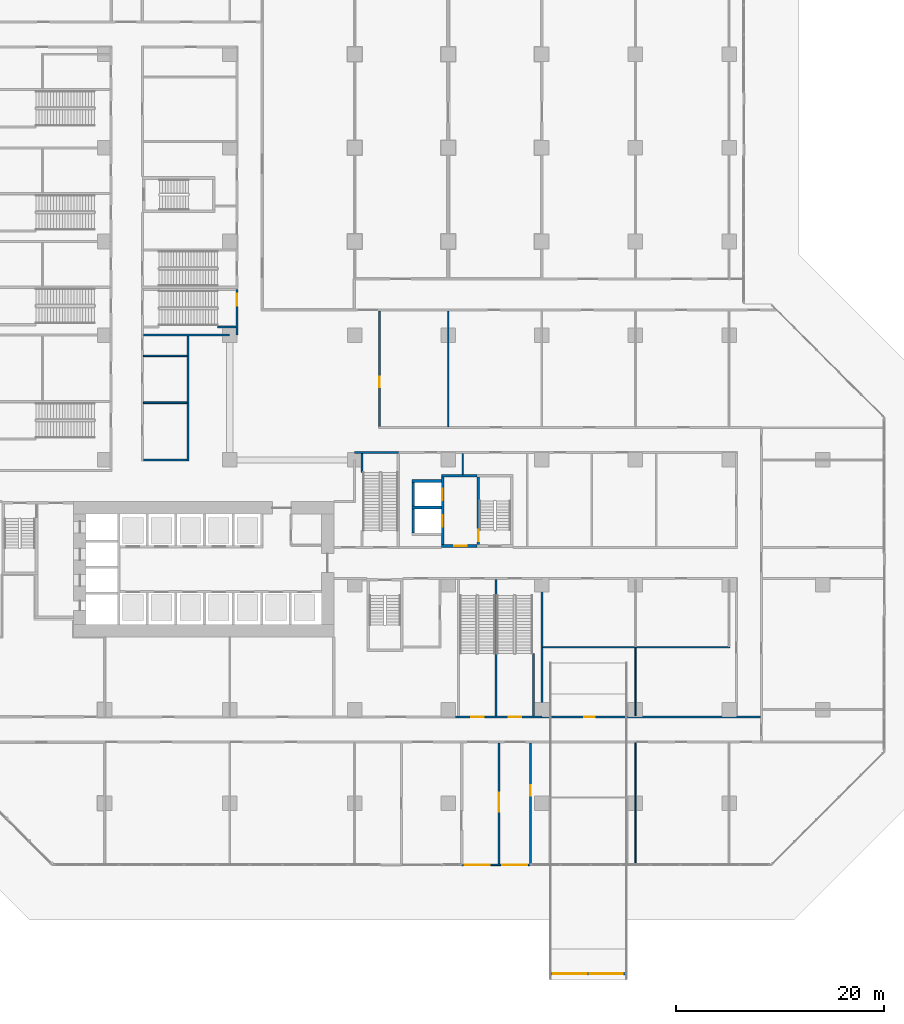
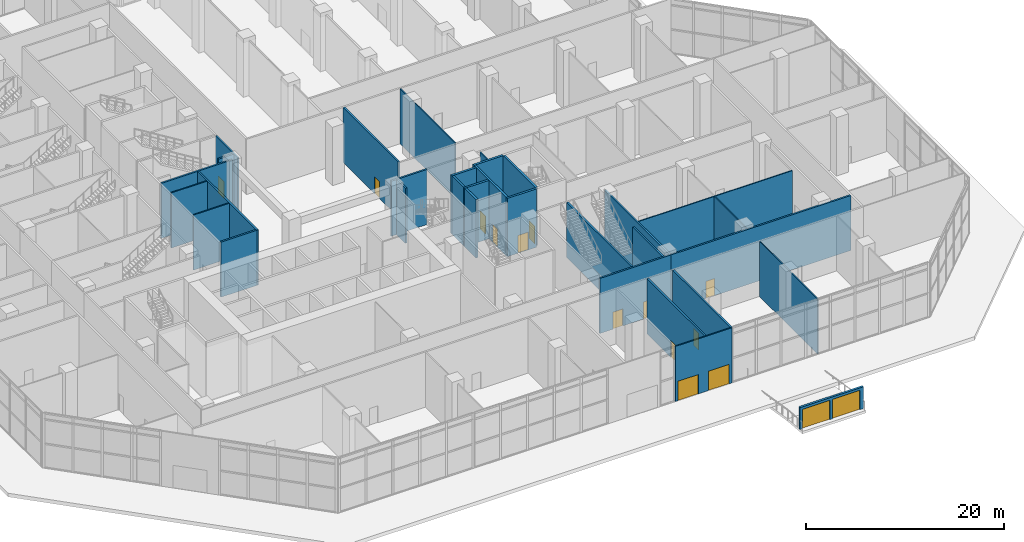
# One storey, part 21 of 34: 32 walls, 15 doors, 15 openings.
"""IFC4 building model written with IfcOpenShell, lengths in metres."""

from ifc_helpers import new_model, si_unit, direction, frame, frame_2d, origin, place, context, subcontext, project, spatial, rectangle, extrude, material, layer, layer_set, type_object, element, fill, save


model = new_model("IFC4")

# Units and contexts
model_context = context("Model", 3, precision=1e-05, world=origin(), true_north=direction((0.0, 1.0)))
body_context = subcontext(model_context, "Body", "Model", "MODEL_VIEW")
ifc_project = project(units=[si_unit("LENGTHUNIT", "METRE"), si_unit("AREAUNIT", "SQUARE_METRE"), si_unit("VOLUMEUNIT", "CUBIC_METRE"), si_unit("PLANEANGLEUNIT", "RADIAN"), si_unit("MASSUNIT", "GRAM", prefix="KILO")], contexts=[model_context])

# Site, building, storey
site_placement = place(None, origin())
site = spatial("IfcSite", under=ifc_project, at=site_placement, CompositionType="ELEMENT")
building_placement = place(site_placement, origin())
building = spatial("IfcBuilding", under=site, at=building_placement, Name="Chenar Terraces", CompositionType="ELEMENT")
storey_placement = place(building_placement, origin())
storey = spatial("IfcBuildingStorey", under=building, at=storey_placement, Name="L00", CompositionType="ELEMENT", Elevation=0.0)

# Walls
ifc_material_1 = material(Name="Gypsum board on steel studs with mineral wool", Category="steel")
ifc_layer_1 = layer(ifc_material_1, 0.125)
ifc_layer_set_1 = layer_set([ifc_layer_1], Name="Gypsum board on steel studs with mineral wool")
wall_type_1 = type_object("IfcWallType", Name="Acoustic partition 125", PredefinedType="PARTITIONING", material=ifc_layer_set_1)
wall_1_placement = place(storey_placement, frame((45.0, 27.199951171875, 0.0), z_axis=(0.0, 0.0, 1.0), x_axis=(0.0, 1.0, 0.0)))
element("IfcWall", 1, at=wall_1_placement, inside=storey, type_object=wall_type_1, Name="Partition L00-103", PredefinedType="PARTITIONING", context=body_context, shape_type="SweptSolid", body=[
    extrude(rectangle(XDim=11.10009765625, YDim=0.125, at=frame_2d((5.550048828125, 0.0))), origin(), (0.0, 0.0, 1.0), 6.800048828125),
])
wall_2_placement = place(storey_placement, frame((46.39990234375, 22.60009765625, 0.0), z_axis=(0.0, 0.0, 1.0), x_axis=(0.0, 1.0, 0.0)))
element("IfcWall", 2, at=wall_2_placement, inside=storey, type_object=wall_type_1, Name="Partition L00-109", PredefinedType="PARTITIONING", context=body_context, shape_type="SweptSolid", body=[
    extrude(rectangle(XDim=2.0, YDim=0.125, at=frame_2d((1.0, 0.0))), origin(), (0.0, 0.0, 1.0), 6.800048828125),
])
wall_3_placement = place(storey_placement, frame((54.10009765625, 6.0, 0.0), z_axis=(0.0, 0.0, 1.0), x_axis=(1.0, 0.0, 0.0)))
element("IfcWall", 3, at=wall_3_placement, inside=storey, type_object=wall_type_1, Name="Partition L00-120", PredefinedType="PARTITIONING", context=body_context, shape_type="SweptSolid", body=[
    extrude(rectangle(XDim=17.9619140625, YDim=0.125, at=frame_2d((8.98095703125, 0.0))), origin(), (0.0, 0.0, 1.0), 6.800048828125),
])
wall_4_placement = place(storey_placement, frame((63.0, -14.925048828125, 0.0), z_axis=(0.0, 0.0, 1.0), x_axis=(0.0, 1.0, 0.0)))
element("IfcWall", 4, at=wall_4_placement, inside=storey, type_object=wall_type_1, Name="Partition L00-122", PredefinedType="PARTITIONING", context=body_context, shape_type="SweptSolid", body=[
    extrude(rectangle(XDim=11.72509765625, YDim=0.125, at=frame_2d((5.862548828125, 0.0))), origin(), (0.0, 0.0, 1.0), 6.800048828125),
])
wall_5_placement = place(storey_placement, frame((63.0, -0.60009765625, 0.0), z_axis=(0.0, 0.0, 1.0), x_axis=(0.0, 1.0, 0.0)))
element("IfcWall", 5, at=wall_5_placement, inside=storey, type_object=wall_type_1, Name="Partition L00-123", PredefinedType="PARTITIONING", context=body_context, shape_type="SweptSolid", body=[
    extrude(rectangle(XDim=6.5380859375, YDim=0.125, at=frame_2d((3.26904296875, 0.0))), origin(), (0.0, 0.0, 1.0), 6.800048828125),
])

# Wall, opening, door
ifc_material_2 = material(Name="Concrete C70/85", Category="concrete")
ifc_layer_2 = layer(ifc_material_2, 0.25)
ifc_layer_set_2 = layer_set([ifc_layer_2], Name="Concrete C70/85")
wall_type_2 = type_object("IfcWallType", Name="Core wall 250 Concrete C70/85", PredefinedType="SHEAR", material=ifc_layer_set_2)
wall_6_placement = place(storey_placement, frame((47.89990234375, 15.85009765625, 0.0), z_axis=(0.0, 0.0, 1.0), x_axis=(0.0, 1.0, 0.0)))
wall_6 = element("IfcWall", 6, at=wall_6_placement, inside=storey, type_object=wall_type_2, Name="Core wall ST3_W L00", PredefinedType="SHEAR", context=body_context, shape_type="SweptSolid", body=[
    extrude(rectangle(XDim=6.5, YDim=0.25, at=frame_2d((3.25, 0.0))), origin(), (0.0, 0.0, 1.0), 7.199951171875),
])
opening_1_placement = place(wall_6_placement, frame((0.35009765625, 0.0, 0.0)))
opening_1 = element("IfcOpeningElement", 7, at=opening_1_placement, cuts=wall_6, Name="Opening DL00-C11", PredefinedType="OPENING", context=body_context, shape_type="SweptSolid", body=[
    extrude(rectangle(XDim=1.10009765625, YDim=2.199951171875, at=frame_2d((0.550048828125, 1.10009765625))), frame((0.0, 0.135009765625, 0.0), z_axis=(0.0, -1.0, 0.0), x_axis=(1.0, 0.0, 0.0)), (0.0, 0.0, 1.0), 0.27001953125),
])
ifc_material_3 = material(Name="Steel-framed fire-resisting door leaf", Category="steel")
door_type_1 = type_object("IfcDoorType", Name="Stair fire door FD60 1100 x 2200", OperationType="SINGLE_SWING_LEFT", PredefinedType="DOOR", material=ifc_material_3)
door_1_placement = place(opening_1_placement, frame((1.10009765625, 0.0, 0.0), z_axis=(0.0, 0.0, 1.0), x_axis=(-1.0, 0.0, 0.0)))
door_1 = element("IfcDoor", 8, at=door_1_placement, inside=storey, type_object=door_type_1, Name="Stair door DL00-C11", OperationType="SINGLE_SWING_RIGHT", OverallHeight=2.199951171875, OverallWidth=1.10009765625, PredefinedType="DOOR", context=body_context, shape_type="SweptSolid", body=[
    extrude(rectangle(XDim=1.10009765625, YDim=2.199951171875, at=frame_2d((0.550048828125, 1.10009765625))), frame((0.0, 0.02490234375, 0.0), z_axis=(0.0, -1.0, 0.0), x_axis=(1.0, 0.0, 0.0)), (0.0, 0.0, 1.0), 0.050048828125),
])
fill(opening_1, door_1)

wall_7_placement = place(storey_placement, frame((44.35009765625, 15.72509765625, 0.0), z_axis=(0.0, 0.0, 1.0), x_axis=(1.0, 0.0, 0.0)))
wall_7 = element("IfcWall", 9, at=wall_7_placement, inside=storey, type_object=wall_type_2, Name="Core wall F3_LS L00", PredefinedType="SHEAR", context=body_context, shape_type="SweptSolid", body=[
    extrude(rectangle(XDim=3.4248046875, YDim=0.25, at=frame_2d((1.71240234375, 0.0))), origin(), (0.0, 0.0, 1.0), 7.199951171875),
])
opening_2_placement = place(wall_7_placement, frame((1.25, 0.0, 0.0)))
opening_2 = element("IfcOpeningElement", 10, at=opening_2_placement, cuts=wall_7, Name="Opening DL00-C10", PredefinedType="OPENING", context=body_context, shape_type="SweptSolid", body=[
    extrude(rectangle(XDim=1.199951171875, YDim=2.199951171875, at=frame_2d((0.60009765625, 1.10009765625))), frame((0.0, 0.135009765625, 0.0), z_axis=(0.0, -1.0, 0.0), x_axis=(1.0, 0.0, 0.0)), (0.0, 0.0, 1.0), 0.27001953125),
])
ifc_material_4 = material(Name="Steel-framed fire-resisting door leaf", Category="steel")
door_type_2 = type_object("IfcDoorType", Name="Lobby fire door FD60 1200 x 2200", OperationType="SINGLE_SWING_LEFT", PredefinedType="DOOR", material=ifc_material_4)
door_2_placement = place(opening_2_placement, origin())
door_2 = element("IfcDoor", 11, at=door_2_placement, inside=storey, type_object=door_type_2, Name="Core door DL00-C10", OperationType="SINGLE_SWING_RIGHT", OverallHeight=2.199951171875, OverallWidth=1.199951171875, PredefinedType="DOOR", context=body_context, shape_type="SweptSolid", body=[
    extrude(rectangle(XDim=1.199951171875, YDim=2.199951171875, at=frame_2d((0.60009765625, 1.10009765625))), frame((0.0, 0.02490234375, 0.0), z_axis=(0.0, -1.0, 0.0), x_axis=(1.0, 0.0, 0.0)), (0.0, 0.0, 1.0), 0.050048828125),
])
fill(opening_2, door_2)

# Wall
wall_8_placement = place(storey_placement, frame((44.35009765625, 22.47509765625, 0.0), z_axis=(0.0, 0.0, 1.0), x_axis=(1.0, 0.0, 0.0)))
element("IfcWall", 12, at=wall_8_placement, inside=storey, type_object=wall_type_2, Name="Core wall F3_LN L00", PredefinedType="SHEAR", context=body_context, shape_type="SweptSolid", body=[
    extrude(rectangle(XDim=3.4248046875, YDim=0.25, at=frame_2d((1.71240234375, 0.0))), origin(), (0.0, 0.0, 1.0), 7.199951171875),
])

# Wall, openings, doors
wall_9_placement = place(storey_placement, frame((44.47509765625, 15.85009765625, 0.0), z_axis=(0.0, 0.0, 1.0), x_axis=(0.0, 1.0, 0.0)))
wall_9 = element("IfcWall", 13, at=wall_9_placement, inside=storey, type_object=wall_type_2, Name="Core wall F3_LW L00", PredefinedType="SHEAR", context=body_context, shape_type="SweptSolid", body=[
    extrude(rectangle(XDim=6.5, YDim=0.25, at=frame_2d((3.25, 0.0))), origin(), (0.0, 0.0, 1.0), 7.199951171875),
])
opening_3_placement = place(wall_9_placement, frame((1.75, 0.0, 0.0)))
opening_3 = element("IfcOpeningElement", 14, at=opening_3_placement, cuts=wall_9, Name="Opening DL00-LD16", PredefinedType="OPENING", context=body_context, shape_type="SweptSolid", body=[
    extrude(rectangle(XDim=1.10009765625, YDim=2.199951171875, at=frame_2d((0.550048828125, 1.10009765625))), frame((0.0, 0.135009765625, 0.0), z_axis=(0.0, -1.0, 0.0), x_axis=(1.0, 0.0, 0.0)), (0.0, 0.0, 1.0), 0.27001953125),
])
opening_4_placement = place(wall_9_placement, frame((4.300048828125, 0.0, 0.0)))
opening_4 = element("IfcOpeningElement", 15, at=opening_4_placement, cuts=wall_9, Name="Opening DL00-LD17", PredefinedType="OPENING", context=body_context, shape_type="SweptSolid", body=[
    extrude(rectangle(XDim=1.10009765625, YDim=2.199951171875, at=frame_2d((0.550048828125, 1.10009765625))), frame((0.0, 0.135009765625, 0.0), z_axis=(0.0, -1.0, 0.0), x_axis=(1.0, 0.0, 0.0)), (0.0, 0.0, 1.0), 0.27001953125),
])
ifc_material_5 = material(Name="Stainless steel", Category="steel")
door_type_3 = type_object("IfcDoorType", Name="Lift landing door 1100 x 2200 sliding", OperationType="DOUBLE_DOOR_SLIDING", PredefinedType="DOOR", material=ifc_material_5)
door_3_placement = place(opening_3_placement, origin())
door_3 = element("IfcDoor", 16, at=door_3_placement, inside=storey, type_object=door_type_3, Name="Landing door F3", OperationType="DOUBLE_DOOR_SLIDING", OverallHeight=2.199951171875, OverallWidth=1.10009765625, PredefinedType="DOOR", context=body_context, shape_type="SweptSolid", body=[
    extrude(rectangle(XDim=1.10009765625, YDim=2.199951171875, at=frame_2d((0.550048828125, 1.10009765625))), frame((0.0, 0.02490234375, 0.0), z_axis=(0.0, -1.0, 0.0), x_axis=(1.0, 0.0, 0.0)), (0.0, 0.0, 1.0), 0.050048828125),
])
fill(opening_3, door_3)
door_4_placement = place(opening_4_placement, origin())
door_4 = element("IfcDoor", 17, at=door_4_placement, inside=storey, type_object=door_type_3, Name="Landing door F4", OperationType="DOUBLE_DOOR_SLIDING", OverallHeight=2.199951171875, OverallWidth=1.10009765625, PredefinedType="DOOR", context=body_context, shape_type="SweptSolid", body=[
    extrude(rectangle(XDim=1.10009765625, YDim=2.199951171875, at=frame_2d((0.550048828125, 1.10009765625))), frame((0.0, 0.02490234375, 0.0), z_axis=(0.0, -1.0, 0.0), x_axis=(1.0, 0.0, 0.0)), (0.0, 0.0, 1.0), 0.050048828125),
])
fill(opening_4, door_4)

# Walls
for number, where, z_axis, x_axis, name in (
    (18, (41.5, 19.425048828125, 0.0), (0.0, 0.0, 1.0), (1.0, 0.0, 0.0), "Core wall F3_SM L00"),
    (19, (41.5, 21.97509765625, 0.0), (0.0, 0.0, 1.0), (1.0, 0.0, 0.0), "Core wall F4_SN L00"),
):
    element("IfcWall", number, at=place(storey_placement, frame(where, z_axis=z_axis, x_axis=x_axis)), inside=storey, type_object=wall_type_2, Name=name, PredefinedType="SHEAR", context=body_context, shape_type="SweptSolid", body=[
        extrude(rectangle(XDim=2.85009765625, YDim=0.25, at=frame_2d((1.425048828125, 0.0))), origin(), (0.0, 0.0, 1.0), 7.199951171875),
    ])
for number, where, z_axis, x_axis, name in (
    (20, (41.625, 17.0, 0.0), (0.0, 0.0, 1.0), (0.0, 1.0, 0.0), "Core wall F3_SW L00"),
    (21, (41.625, 19.550048828125, 0.0), (0.0, 0.0, 1.0), (0.0, 1.0, 0.0), "Core wall F4_SW L00"),
):
    element("IfcWall", number, at=place(storey_placement, frame(where, z_axis=z_axis, x_axis=x_axis)), inside=storey, type_object=wall_type_2, Name=name, PredefinedType="SHEAR", context=body_context, shape_type="SweptSolid", body=[
        extrude(rectangle(XDim=2.300048828125, YDim=0.25, at=frame_2d((1.14990234375, 0.0))), origin(), (0.0, 0.0, 1.0), 7.199951171875),
    ])
ifc_material_6 = material(Name="Gypsum board on steel studs with fire boards", Category="steel")
ifc_layer_3 = layer(ifc_material_6, 0.199951171875)
ifc_layer_set_3 = layer_set([ifc_layer_3], Name="Gypsum board on steel studs with fire boards")
wall_type_3 = type_object("IfcWallType", Name="Corridor wall 200", PredefinedType="PARTITIONING", material=ifc_layer_set_3)
wall_10_placement = place(storey_placement, frame((15.699951171875, 24.0, 0.0), z_axis=(0.0, 0.0, 1.0), x_axis=(1.0, 0.0, 0.0)))
element("IfcWall", 22, at=wall_10_placement, inside=storey, type_object=wall_type_3, Name="Partition L00-065", PredefinedType="PARTITIONING", context=body_context, shape_type="SweptSolid", body=[
    extrude(rectangle(XDim=4.199951171875, YDim=0.199951171875, at=frame_2d((2.10009765625, 0.0))), origin(), (0.0, 0.0, 1.0), 6.800048828125),
])
wall_11_placement = place(storey_placement, frame((20.0, 23.89990234375, 0.0), z_axis=(0.0, 0.0, 1.0), x_axis=(0.0, 1.0, 0.0)))
element("IfcWall", 23, at=wall_11_placement, inside=storey, type_object=wall_type_3, Name="Partition L00-073", PredefinedType="PARTITIONING", context=body_context, shape_type="SweptSolid", body=[
    extrude(rectangle(XDim=12.0, YDim=0.199951171875, at=frame_2d((6.0, 0.0))), origin(), (0.0, 0.0, 1.0), 6.800048828125),
])

# Wall, opening, door
wall_12_placement = place(storey_placement, frame((38.39990234375, 27.199951171875, 0.0), z_axis=(0.0, 0.0, 1.0), x_axis=(0.0, 1.0, 0.0)))
wall_12 = element("IfcWall", 24, at=wall_12_placement, inside=storey, type_object=wall_type_3, Name="Partition L00-095", PredefinedType="PARTITIONING", context=body_context, shape_type="SweptSolid", body=[
    extrude(rectangle(XDim=11.10009765625, YDim=0.199951171875, at=frame_2d((5.550048828125, 0.0))), origin(), (0.0, 0.0, 1.0), 6.800048828125),
])
opening_5_placement = place(wall_12_placement, frame((3.800048828125, 0.0, 0.0)))
opening_5 = element("IfcOpeningElement", 25, at=opening_5_placement, cuts=wall_12, Name="Opening DL00-27", PredefinedType="OPENING", context=body_context, shape_type="SweptSolid", body=[
    extrude(rectangle(XDim=1.0, YDim=2.10009765625, at=frame_2d((0.5, 1.050048828125))), frame((0.0, 0.10986328125, 0.0), z_axis=(0.0, -1.0, 0.0), x_axis=(1.0, 0.0, 0.0)), (0.0, 0.0, 1.0), 0.219970703125),
])
ifc_material_7 = material(Name="Steel-framed fire-resisting door leaf", Category="steel")
door_type_4 = type_object("IfcDoorType", Name="Fire door FD60 1000 x 2100", OperationType="SINGLE_SWING_LEFT", PredefinedType="DOOR", material=ifc_material_7)
door_5_placement = place(opening_5_placement, frame((1.0, 0.0, 0.0), z_axis=(0.0, 0.0, 1.0), x_axis=(-1.0, 0.0, 0.0)))
door_5 = element("IfcDoor", 26, at=door_5_placement, inside=storey, type_object=door_type_4, Name="Door DL00-27", OperationType="SINGLE_SWING_LEFT", OverallHeight=2.10009765625, OverallWidth=1.0, PredefinedType="DOOR", context=body_context, shape_type="SweptSolid", body=[
    extrude(rectangle(XDim=1.0, YDim=2.10009765625, at=frame_2d((0.5, 1.050048828125))), frame((0.0, 0.02490234375, 0.0), z_axis=(0.0, -1.0, 0.0), x_axis=(1.0, 0.0, 0.0)), (0.0, 0.0, 1.0), 0.050048828125),
])
fill(opening_5, door_5)

wall_13_placement = place(storey_placement, frame((49.89990234375, -14.85107421875, 0.0), z_axis=(0.0, 0.0, 1.0), x_axis=(0.0, 1.0, 0.0)))
wall_13 = element("IfcWall", 27, at=wall_13_placement, inside=storey, type_object=wall_type_3, Name="Partition L00-111", PredefinedType="PARTITIONING", context=body_context, shape_type="SweptSolid", body=[
    extrude(rectangle(XDim=11.651123046875, YDim=0.199951171875, at=frame_2d((5.82568359375, 0.0))), origin(), (0.0, 0.0, 1.0), 6.800048828125),
])
opening_6_placement = place(wall_13_placement, frame((5.051025390625, 0.0, 0.0)))
opening_6 = element("IfcOpeningElement", 28, at=opening_6_placement, cuts=wall_13, Name="Opening DL00-104", PredefinedType="OPENING", context=body_context, shape_type="SweptSolid", body=[
    extrude(rectangle(XDim=1.800048828125, YDim=2.10009765625, at=frame_2d((0.89990234375, 1.050048828125))), frame((0.0, 0.10986328125, 0.0), z_axis=(0.0, -1.0, 0.0), x_axis=(1.0, 0.0, 0.0)), (0.0, 0.0, 1.0), 0.219970703125),
])
ifc_material_8 = material(Name="Steel-framed fire-resisting door leaf", Category="steel")
door_type_5 = type_object("IfcDoorType", Name="Fire double door FD60 1800 x 2100", OperationType="DOUBLE_DOOR_SINGLE_SWING", PredefinedType="DOOR", material=ifc_material_8)
door_6_placement = place(opening_6_placement, frame((1.800048828125, 0.0, 0.0), z_axis=(0.0, 0.0, 1.0), x_axis=(-1.0, 0.0, 0.0)))
door_6 = element("IfcDoor", 29, at=door_6_placement, inside=storey, type_object=door_type_5, Name="Door DL00-104", OperationType="DOUBLE_DOOR_SINGLE_SWING", OverallHeight=2.10009765625, OverallWidth=1.800048828125, PredefinedType="DOOR", context=body_context, shape_type="SweptSolid", body=[
    extrude(rectangle(XDim=1.800048828125, YDim=2.10009765625, at=frame_2d((0.89990234375, 1.050048828125))), frame((0.0, 0.02490234375, 0.0), z_axis=(0.0, -1.0, 0.0), x_axis=(1.0, 0.0, 0.0)), (0.0, 0.0, 1.0), 0.050048828125),
])
fill(opening_6, door_6)

wall_14_placement = place(storey_placement, frame((52.89990234375, -14.925048828125, 0.0), z_axis=(0.0, 0.0, 1.0), x_axis=(0.0, 1.0, 0.0)))
wall_14 = element("IfcWall", 30, at=wall_14_placement, inside=storey, type_object=wall_type_3, Name="Partition L00-114", PredefinedType="PARTITIONING", context=body_context, shape_type="SweptSolid", body=[
    extrude(rectangle(XDim=11.72509765625, YDim=0.199951171875, at=frame_2d((5.862548828125, 0.0))), origin(), (0.0, 0.0, 1.0), 6.800048828125),
])
opening_7_placement = place(wall_14_placement, frame((6.64990234375, 0.0, 0.0)))
opening_7 = element("IfcOpeningElement", 31, at=opening_7_placement, cuts=wall_14, Name="Opening DL00-61", PredefinedType="OPENING", context=body_context, shape_type="SweptSolid", body=[
    extrude(rectangle(XDim=1.0, YDim=2.10009765625, at=frame_2d((0.5, 1.050048828125))), frame((0.0, 0.10986328125, 0.0), z_axis=(0.0, -1.0, 0.0), x_axis=(1.0, 0.0, 0.0)), (0.0, 0.0, 1.0), 0.219970703125),
])
door_7_placement = place(opening_7_placement, frame((1.0, 0.0, 0.0), z_axis=(0.0, 0.0, 1.0), x_axis=(-1.0, 0.0, 0.0)))
door_7 = element("IfcDoor", 32, at=door_7_placement, inside=storey, type_object=door_type_4, Name="Door DL00-61", OperationType="SINGLE_SWING_LEFT", OverallHeight=2.10009765625, OverallWidth=1.0, PredefinedType="DOOR", context=body_context, shape_type="SweptSolid", body=[
    extrude(rectangle(XDim=1.0, YDim=2.10009765625, at=frame_2d((0.5, 1.050048828125))), frame((0.0, 0.02490234375, 0.0), z_axis=(0.0, -1.0, 0.0), x_axis=(1.0, 0.0, 0.0)), (0.0, 0.0, 1.0), 0.050048828125),
])
fill(opening_7, door_7)

wall_15_placement = place(storey_placement, frame((54.0, -0.699951171875, 0.0), z_axis=(0.0, 0.0, 1.0), x_axis=(1.0, 0.0, 0.0)))
wall_15 = element("IfcWall", 33, at=wall_15_placement, inside=storey, type_object=wall_type_3, Name="Partition L00-115", PredefinedType="PARTITIONING", context=body_context, shape_type="SweptSolid", body=[
    extrude(rectangle(XDim=21.0, YDim=0.199951171875, at=frame_2d((10.5, 0.0))), origin(), (0.0, 0.0, 1.0), 6.800048828125),
])
opening_8_placement = place(wall_15_placement, frame((4.10009765625, 0.0, 0.0)))
opening_8 = element("IfcOpeningElement", 34, at=opening_8_placement, cuts=wall_15, Name="Opening DL00-8", PredefinedType="OPENING", context=body_context, shape_type="SweptSolid", body=[
    extrude(rectangle(XDim=1.0, YDim=2.10009765625, at=frame_2d((0.5, 1.050048828125))), frame((0.0, 0.10986328125, 0.0), z_axis=(0.0, -1.0, 0.0), x_axis=(1.0, 0.0, 0.0)), (0.0, 0.0, 1.0), 0.219970703125),
])
door_8_placement = place(opening_8_placement, origin())
door_8 = element("IfcDoor", 35, at=door_8_placement, inside=storey, type_object=door_type_4, Name="Door DL00-8", OperationType="SINGLE_SWING_LEFT", OverallHeight=2.10009765625, OverallWidth=1.0, PredefinedType="DOOR", context=body_context, shape_type="SweptSolid", body=[
    extrude(rectangle(XDim=1.0, YDim=2.10009765625, at=frame_2d((0.5, 1.050048828125))), frame((0.0, 0.02490234375, 0.0), z_axis=(0.0, -1.0, 0.0), x_axis=(1.0, 0.0, 0.0)), (0.0, 0.0, 1.0), 0.050048828125),
])
fill(opening_8, door_8)

# Wall, openings, doors
ifc_material_9 = material(Name="Terracotta cladding on insulated backing", Category="masonry")
ifc_layer_4 = layer(ifc_material_9, 0.14990234375)
ifc_layer_set_4 = layer_set([ifc_layer_4], Name="Terracotta cladding on insulated backing")
wall_type_4 = type_object("IfcWallType", Name="Entrance wall 150", PredefinedType="SOLIDWALL", material=ifc_layer_set_4)
wall_16_placement = place(storey_placement, frame((46.300048828125, -14.925048828125, 0.0), z_axis=(0.0, 0.0, 1.0), x_axis=(1.0, 0.0, 0.0)))
wall_16 = element("IfcWall", 36, at=wall_16_placement, inside=storey, type_object=wall_type_4, Name="Entrance wall", PredefinedType="SOLIDWALL", context=body_context, shape_type="SweptSolid", body=[
    extrude(rectangle(XDim=6.599853515625, YDim=0.14990234375, at=frame_2d((3.2998046875, 0.0))), origin(), (0.0, 0.0, 1.0), 6.800048828125),
])
opening_9_placement = place(wall_16_placement, frame((0.300048828125, 0.0, 0.0)))
opening_9 = element("IfcOpeningElement", 37, at=opening_9_placement, cuts=wall_16, Name="Opening DL00-X5", PredefinedType="OPENING", context=body_context, shape_type="SweptSolid", body=[
    extrude(rectangle(XDim=2.39990234375, YDim=2.39990234375, at=frame_2d((1.199951171875, 1.199951171875))), frame((0.0, 0.0849609375, 0.0), z_axis=(0.0, -1.0, 0.0), x_axis=(1.0, 0.0, 0.0)), (0.0, 0.0, 1.0), 0.169921875),
])
opening_10_placement = place(wall_16_placement, frame((3.89990234375, 0.0, 0.0)))
opening_10 = element("IfcOpeningElement", 38, at=opening_10_placement, cuts=wall_16, Name="Opening DL00-X6", PredefinedType="OPENING", context=body_context, shape_type="SweptSolid", body=[
    extrude(rectangle(XDim=2.39990234375, YDim=2.39990234375, at=frame_2d((1.199951171875, 1.199951171875))), frame((0.0, 0.0849609375, 0.0), z_axis=(0.0, -1.0, 0.0), x_axis=(1.0, 0.0, 0.0)), (0.0, 0.0, 1.0), 0.169921875),
])
ifc_material_10 = material(Name="Low emissivity double glazing, aluminium frame", Category="aluminium")
door_type_6 = type_object("IfcDoorType", Name="Exit door set 2400 x 2400", OperationType="DOUBLE_DOOR_SINGLE_SWING", PredefinedType="DOOR", material=ifc_material_10)
door_9_placement = place(opening_9_placement, frame((2.39990234375, 0.0, 0.0), z_axis=(0.0, 0.0, 1.0), x_axis=(-1.0, 0.0, 0.0)))
door_9 = element("IfcDoor", 39, at=door_9_placement, inside=storey, type_object=door_type_6, Name="Exit door", OperationType="DOUBLE_DOOR_SINGLE_SWING", OverallHeight=2.39990234375, OverallWidth=2.39990234375, PredefinedType="DOOR", context=body_context, shape_type="SweptSolid", body=[
    extrude(rectangle(XDim=2.39990234375, YDim=2.39990234375, at=frame_2d((1.199951171875, 1.199951171875))), frame((0.0, 0.02490234375, 0.0), z_axis=(0.0, -1.0, 0.0), x_axis=(1.0, 0.0, 0.0)), (0.0, 0.0, 1.0), 0.050048828125),
])
fill(opening_9, door_9)
door_10_placement = place(opening_10_placement, frame((2.39990234375, 0.0, 0.0), z_axis=(0.0, 0.0, 1.0), x_axis=(-1.0, 0.0, 0.0)))
door_10 = element("IfcDoor", 40, at=door_10_placement, inside=storey, type_object=door_type_6, Name="Exit door", OperationType="DOUBLE_DOOR_SINGLE_SWING", OverallHeight=2.39990234375, OverallWidth=2.39990234375, PredefinedType="DOOR", context=body_context, shape_type="SweptSolid", body=[
    extrude(rectangle(XDim=2.39990234375, YDim=2.39990234375, at=frame_2d((1.199951171875, 1.199951171875))), frame((0.0, 0.02490234375, 0.0), z_axis=(0.0, -1.0, 0.0), x_axis=(1.0, 0.0, 0.0)), (0.0, 0.0, 1.0), 0.050048828125),
])
fill(opening_10, door_10)

ifc_material_11 = material(Name="Reinforced concrete C40/50", Category="concrete")
ifc_layer_5 = layer(ifc_material_11, 0.25)
ifc_layer_set_5 = layer_set([ifc_layer_5], Name="Reinforced concrete C40/50")
wall_type_5 = type_object("IfcWallType", Name="Entrance wall 250 concrete", PredefinedType="SOLIDWALL", material=ifc_layer_set_5)
wall_17_placement = place(storey_placement, frame((54.800048828125, -25.389892578125, -0.050048828125), z_axis=(0.0, 0.0, 1.0), x_axis=(1.0, 0.0, 0.0)))
wall_17 = element("IfcWall", 41, at=wall_17_placement, inside=storey, type_object=wall_type_5, Name="R1 entrance wall", PredefinedType="SOLIDWALL", context=body_context, shape_type="SweptSolid", body=[
    extrude(rectangle(XDim=7.39990234375, YDim=0.25, at=frame_2d((3.699951171875, 0.0))), origin(), (0.0, 0.0, 1.0), 2.699951171875),
])
opening_11_placement = place(wall_17_placement, frame((0.300048828125, 0.0, 0.0)))
opening_11 = element("IfcOpeningElement", 42, at=opening_11_placement, cuts=wall_17, Name="Opening VG-R1.1", PredefinedType="OPENING", context=body_context, shape_type="SweptSolid", body=[
    extrude(rectangle(XDim=3.199951171875, YDim=2.39990234375, at=frame_2d((1.60009765625, 1.199951171875))), frame((0.0, 0.135009765625, 0.0), z_axis=(0.0, -1.0, 0.0), x_axis=(1.0, 0.0, 0.0)), (0.0, 0.0, 1.0), 0.27001953125),
])
opening_12_placement = place(wall_17_placement, frame((3.800048828125, 0.0, 0.0)))
opening_12 = element("IfcOpeningElement", 43, at=opening_12_placement, cuts=wall_17, Name="Opening VG-R1.2", PredefinedType="OPENING", context=body_context, shape_type="SweptSolid", body=[
    extrude(rectangle(XDim=3.199951171875, YDim=2.39990234375, at=frame_2d((1.60009765625, 1.199951171875))), frame((0.0, 0.135009765625, 0.0), z_axis=(0.0, -1.0, 0.0), x_axis=(1.0, 0.0, 0.0)), (0.0, 0.0, 1.0), 0.27001953125),
])
ifc_material_12 = material(Name="Galvanised steel", Category="steel")
door_type_7 = type_object("IfcDoorType", Name="Vehicle gate 3200 x 2400 sliding", OperationType="SLIDING_TO_LEFT", PredefinedType="GATE", material=ifc_material_12)
door_11_placement = place(opening_11_placement, origin())
door_11 = element("IfcDoor", 44, at=door_11_placement, inside=storey, type_object=door_type_7, Name="Vehicle gate R1.1", OperationType="SLIDING_TO_LEFT", OverallHeight=2.39990234375, OverallWidth=3.199951171875, PredefinedType="GATE", context=body_context, shape_type="SweptSolid", body=[
    extrude(rectangle(XDim=3.199951171875, YDim=2.39990234375, at=frame_2d((1.60009765625, 1.199951171875))), frame((0.0, 0.02490234375, 0.0), z_axis=(0.0, -1.0, 0.0), x_axis=(1.0, 0.0, 0.0)), (0.0, 0.0, 1.0), 0.050048828125),
])
fill(opening_11, door_11)
door_12_placement = place(opening_12_placement, origin())
door_12 = element("IfcDoor", 45, at=door_12_placement, inside=storey, type_object=door_type_7, Name="Vehicle gate R1.2", OperationType="SLIDING_TO_LEFT", OverallHeight=2.39990234375, OverallWidth=3.199951171875, PredefinedType="GATE", context=body_context, shape_type="SweptSolid", body=[
    extrude(rectangle(XDim=3.199951171875, YDim=2.39990234375, at=frame_2d((1.60009765625, 1.199951171875))), frame((0.0, 0.02490234375, 0.0), z_axis=(0.0, -1.0, 0.0), x_axis=(1.0, 0.0, 0.0)), (0.0, 0.0, 1.0), 0.050048828125),
])
fill(opening_12, door_12)

# Wall
ifc_material_13 = material(Name="Reinforced concrete C40/50", Category="concrete")
ifc_layer_6 = layer(ifc_material_13, 0.199951171875)
ifc_layer_set_6 = layer_set([ifc_layer_6], Name="Reinforced concrete C40/50")
wall_type_6 = type_object("IfcWallType", Name="Stair enclosure wall 200 concrete", PredefinedType="SOLIDWALL", material=ifc_layer_set_6)
wall_18_placement = place(storey_placement, frame((15.699951171875, 36.0, 0.0), z_axis=(0.0, 0.0, 1.0), x_axis=(1.0, 0.0, 0.0)))
element("IfcWall", 46, at=wall_18_placement, inside=storey, type_object=wall_type_6, Name="Stair enclosure wall L00-068", PredefinedType="SOLIDWALL", context=body_context, shape_type="SweptSolid", body=[
    extrude(rectangle(XDim=8.300048828125, YDim=0.199951171875, at=frame_2d((4.14990234375, 0.0))), origin(), (0.0, 0.0, 1.0), 6.800048828125),
])

# Wall, opening, door
wall_19_placement = place(storey_placement, frame((24.699951171875, 36.0, 0.0), z_axis=(0.0, 0.0, 1.0), x_axis=(0.0, 1.0, 0.0)))
wall_19 = element("IfcWall", 47, at=wall_19_placement, inside=storey, type_object=wall_type_6, Name="Stair enclosure wall L00-078", PredefinedType="SOLIDWALL", context=body_context, shape_type="SweptSolid", body=[
    extrude(rectangle(XDim=4.39990234375, YDim=0.199951171875, at=frame_2d((2.199951171875, 0.0))), origin(), (0.0, 0.0, 1.0), 6.800048828125),
])
opening_13_placement = place(wall_19_placement, frame((2.800048828125, 0.0, 0.0)))
opening_13 = element("IfcOpeningElement", 48, at=opening_13_placement, cuts=wall_19, Name="Opening DL00-96", PredefinedType="OPENING", context=body_context, shape_type="SweptSolid", body=[
    extrude(rectangle(XDim=1.199951171875, YDim=2.10009765625, at=frame_2d((0.60009765625, 1.050048828125))), frame((0.0, 0.10986328125, 0.0), z_axis=(0.0, -1.0, 0.0), x_axis=(1.0, 0.0, 0.0)), (0.0, 0.0, 1.0), 0.219970703125),
])
ifc_material_14 = material(Name="Steel-framed fire-resisting door leaf", Category="steel")
door_type_8 = type_object("IfcDoorType", Name="Fire door FD120 1200 x 2100", OperationType="SINGLE_SWING_LEFT", PredefinedType="DOOR", material=ifc_material_14)
door_13_placement = place(opening_13_placement, origin())
door_13 = element("IfcDoor", 49, at=door_13_placement, inside=storey, type_object=door_type_8, Name="Door DL00-96", OperationType="SINGLE_SWING_RIGHT", OverallHeight=2.10009765625, OverallWidth=1.199951171875, PredefinedType="DOOR", context=body_context, shape_type="SweptSolid", body=[
    extrude(rectangle(XDim=1.199951171875, YDim=2.10009765625, at=frame_2d((0.60009765625, 1.050048828125))), frame((0.0, 0.02490234375, 0.0), z_axis=(0.0, -1.0, 0.0), x_axis=(1.0, 0.0, 0.0)), (0.0, 0.0, 1.0), 0.050048828125),
])
fill(opening_13, door_13)

# Wall
wall_20_placement = place(storey_placement, frame((36.0, 24.699951171875, 0.0), z_axis=(0.0, 0.0, 1.0), x_axis=(1.0, 0.0, 0.0)))
element("IfcWall", 50, at=wall_20_placement, inside=storey, type_object=wall_type_6, Name="Stair enclosure wall L00-090", PredefinedType="SOLIDWALL", context=body_context, shape_type="SweptSolid", body=[
    extrude(rectangle(XDim=4.199951171875, YDim=0.199951171875, at=frame_2d((2.10009765625, 0.0))), origin(), (0.0, 0.0, 1.0), 6.800048828125),
])

# Wall, openings, doors
wall_21_placement = place(storey_placement, frame((45.699951171875, -0.699951171875, 0.0), z_axis=(0.0, 0.0, 1.0), x_axis=(1.0, 0.0, 0.0)))
wall_21 = element("IfcWall", 51, at=wall_21_placement, inside=storey, type_object=wall_type_6, Name="Stair enclosure wall L00-105", PredefinedType="SOLIDWALL", context=body_context, shape_type="SweptSolid", body=[
    extrude(rectangle(XDim=8.300048828125, YDim=0.199951171875, at=frame_2d((4.14990234375, 0.0))), origin(), (0.0, 0.0, 1.0), 6.800048828125),
])
opening_14_placement = place(wall_21_placement, frame((5.10009765625, 0.0, 0.0)))
opening_14 = element("IfcOpeningElement", 52, at=opening_14_placement, cuts=wall_21, Name="Opening DL00-86", PredefinedType="OPENING", context=body_context, shape_type="SweptSolid", body=[
    extrude(rectangle(XDim=1.199951171875, YDim=2.10009765625, at=frame_2d((0.60009765625, 1.050048828125))), frame((0.0, 0.10986328125, 0.0), z_axis=(0.0, -1.0, 0.0), x_axis=(1.0, 0.0, 0.0)), (0.0, 0.0, 1.0), 0.219970703125),
])
opening_15_placement = place(wall_21_placement, frame((1.5, 0.0, 0.0)))
opening_15 = element("IfcOpeningElement", 53, at=opening_15_placement, cuts=wall_21, Name="Opening DL00-94", PredefinedType="OPENING", context=body_context, shape_type="SweptSolid", body=[
    extrude(rectangle(XDim=1.199951171875, YDim=2.10009765625, at=frame_2d((0.60009765625, 1.050048828125))), frame((0.0, 0.10986328125, 0.0), z_axis=(0.0, -1.0, 0.0), x_axis=(1.0, 0.0, 0.0)), (0.0, 0.0, 1.0), 0.219970703125),
])
door_14_placement = place(opening_14_placement, origin())
door_14 = element("IfcDoor", 54, at=door_14_placement, inside=storey, type_object=door_type_8, Name="Door DL00-86", OperationType="SINGLE_SWING_LEFT", OverallHeight=2.10009765625, OverallWidth=1.199951171875, PredefinedType="DOOR", context=body_context, shape_type="SweptSolid", body=[
    extrude(rectangle(XDim=1.199951171875, YDim=2.10009765625, at=frame_2d((0.60009765625, 1.050048828125))), frame((0.0, 0.02490234375, 0.0), z_axis=(0.0, -1.0, 0.0), x_axis=(1.0, 0.0, 0.0)), (0.0, 0.0, 1.0), 0.050048828125),
])
fill(opening_14, door_14)
door_15_placement = place(opening_15_placement, origin())
door_15 = element("IfcDoor", 55, at=door_15_placement, inside=storey, type_object=door_type_8, Name="Door DL00-94", OperationType="SINGLE_SWING_LEFT", OverallHeight=2.10009765625, OverallWidth=1.199951171875, PredefinedType="DOOR", context=body_context, shape_type="SweptSolid", body=[
    extrude(rectangle(XDim=1.199951171875, YDim=2.10009765625, at=frame_2d((0.60009765625, 1.050048828125))), frame((0.0, 0.02490234375, 0.0), z_axis=(0.0, -1.0, 0.0), x_axis=(1.0, 0.0, 0.0)), (0.0, 0.0, 1.0), 0.050048828125),
])
fill(opening_15, door_15)

# Walls
for number, where, z_axis, x_axis, name in (
    (56, (49.60009765625, -0.60009765625, 0.0), (0.0, 0.0, 1.0), (0.0, 1.0, 0.0), "Stair enclosure wall L00-110"),
    (57, (54.0, -0.60009765625, 0.0), (0.0, 0.0, 1.0), (0.0, 1.0, 0.0), "Stair enclosure wall L00-116"),
):
    element("IfcWall", number, at=place(storey_placement, frame(where, z_axis=z_axis, x_axis=x_axis)), inside=storey, type_object=wall_type_6, Name=name, PredefinedType="SOLIDWALL", context=body_context, shape_type="SweptSolid", body=[
        extrude(rectangle(XDim=13.10009765625, YDim=0.199951171875, at=frame_2d((6.550048828125, 0.0))), origin(), (0.0, 0.0, 1.0), 6.800048828125),
    ])
wall_22_placement = place(storey_placement, frame((36.715087890625, 22.800048828125, 0.0), z_axis=(0.0, 0.0, 1.0), x_axis=(0.0, 1.0, 0.0)))
element("IfcWall", 58, at=wall_22_placement, inside=storey, type_object=wall_type_6, Name="Stair enclosure wall L00-PS1-001", PredefinedType="SOLIDWALL", context=body_context, shape_type="SweptSolid", body=[
    extrude(rectangle(XDim=1.800048828125, YDim=0.199951171875, at=frame_2d((0.89990234375, 0.0))), origin(), (0.0, 0.0, 1.0), 6.800048828125),
])
wall_23_placement = place(storey_placement, frame((53.199951171875, -0.60009765625, 0.0), z_axis=(0.0, 0.0, 1.0), x_axis=(0.0, 1.0, 0.0)))
element("IfcWall", 59, at=wall_23_placement, inside=storey, type_object=wall_type_6, Name="Stair enclosure wall L00-PS2-013", PredefinedType="SOLIDWALL", context=body_context, shape_type="SweptSolid", body=[
    extrude(rectangle(XDim=5.985107421875, YDim=0.199951171875, at=frame_2d((2.99267578125, 0.0))), origin(), (0.0, 0.0, 1.0), 6.800048828125),
])
wall_24_placement = place(storey_placement, frame((22.81494140625, 36.800048828125, 0.0), z_axis=(0.0, 0.0, 1.0), x_axis=(1.0, 0.0, 0.0)))
element("IfcWall", 60, at=wall_24_placement, inside=storey, type_object=wall_type_6, Name="Stair enclosure wall L00-PS7-040", PredefinedType="SOLIDWALL", context=body_context, shape_type="SweptSolid", body=[
    extrude(rectangle(XDim=1.78515625, YDim=0.199951171875, at=frame_2d((0.892578125, 0.0))), origin(), (0.0, 0.0, 1.0), 6.800048828125),
])
ifc_material_15 = material(Name="Moisture-resistant gypsum board on steel studs", Category="steel")
ifc_layer_7 = layer(ifc_material_15, 0.14990234375)
ifc_layer_set_7 = layer_set([ifc_layer_7], Name="Moisture-resistant gypsum board on steel studs")
wall_type_7 = type_object("IfcWallType", Name="Wet-room partition 150", PredefinedType="PARTITIONING", material=ifc_layer_set_7)
for number, where, z_axis, x_axis, name in (
    (61, (15.699951171875, 29.5, 0.0), (0.0, 0.0, 1.0), (1.0, 0.0, 0.0), "Partition L00-066"),
    (62, (15.699951171875, 34.0, 0.0), (0.0, 0.0, 1.0), (1.0, 0.0, 0.0), "Partition L00-067"),
):
    element("IfcWall", number, at=place(storey_placement, frame(where, z_axis=z_axis, x_axis=x_axis)), inside=storey, type_object=wall_type_7, Name=name, PredefinedType="PARTITIONING", context=body_context, shape_type="SweptSolid", body=[
        extrude(rectangle(XDim=4.199951171875, YDim=0.14990234375, at=frame_2d((2.10009765625, 0.0))), origin(), (0.0, 0.0, 1.0), 6.800048828125),
    ])

save(model, "model.ifc")
